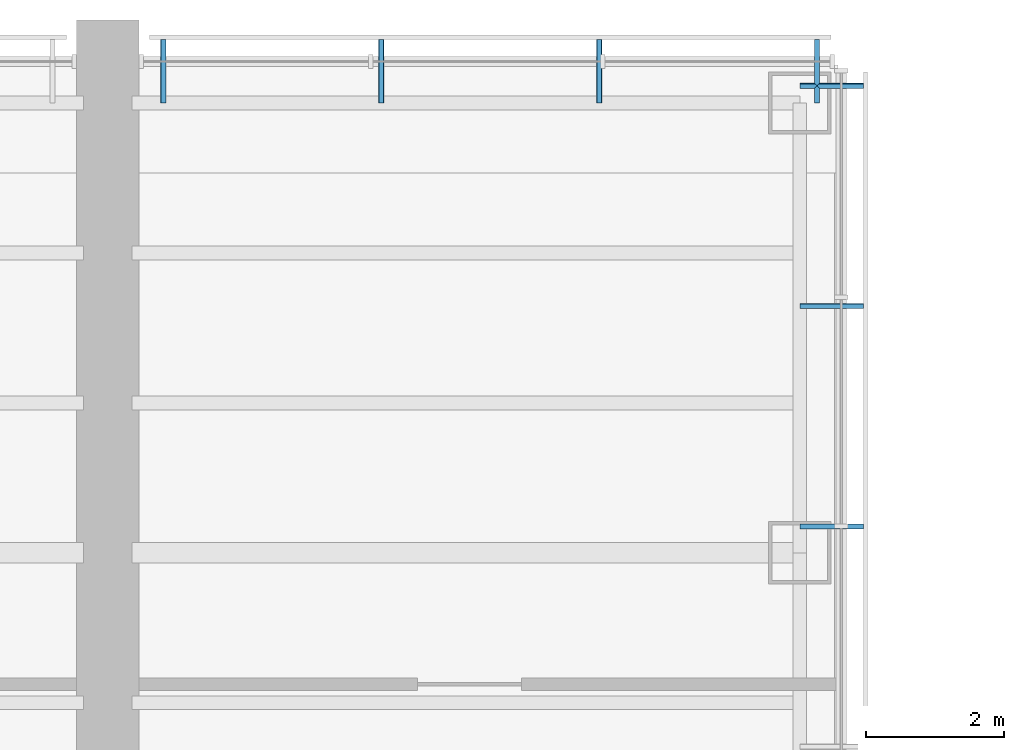
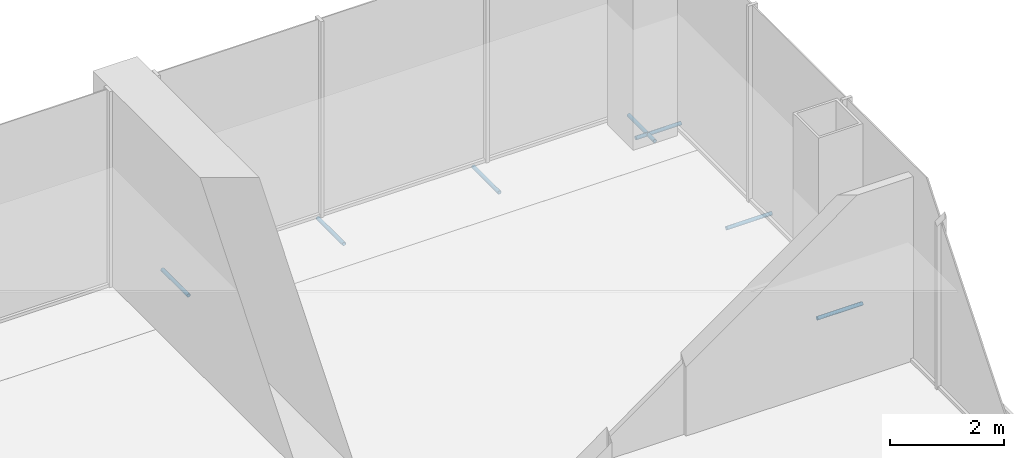
# One storey, part 15 of 17: 7 discrete accessories.
"""IFC4 building model written with IfcOpenShell, lengths in metres."""

from ifc_helpers import new_model, si_unit, direction, frame, origin, origin_2d, place, context, subcontext, project, spatial, hollow_circle, extrude, material, material_profile, profile_set, type_object, element, save


model = new_model("IFC4")

# Units and contexts
model_context = context("Model", 3, precision=1e-05, world=origin(), true_north=direction((0.0, 1.0)))
body_context = subcontext(model_context, "Body", "Model", "MODEL_VIEW")
ifc_project = project(units=[si_unit("LENGTHUNIT", "METRE"), si_unit("AREAUNIT", "SQUARE_METRE"), si_unit("VOLUMEUNIT", "CUBIC_METRE"), si_unit("PLANEANGLEUNIT", "RADIAN"), si_unit("MASSUNIT", "GRAM", prefix="KILO")], contexts=[model_context])

# Site, building, storey
site_placement = place(None, origin())
site = spatial("IfcSite", under=ifc_project, at=site_placement, CompositionType="ELEMENT")
building_placement = place(site_placement, origin())
building = spatial("IfcBuilding", under=site, at=building_placement, Name="Kasaneha Research Tower", CompositionType="ELEMENT")
storey_placement = place(building_placement, frame((0.0, 0.0, 47.800048828125)))
storey = spatial("IfcBuildingStorey", under=building, at=storey_placement, Name="L12", CompositionType="ELEMENT", Elevation=47.800048828125)

# Discrete accessories
ifc_material = material(Name="Steel STK400", Category="steel")
ifc_material_profile = material_profile(ifc_material, hollow_circle(Radius=0.0380859375, WallThickness=0.00390625, at=origin_2d()), Name="CHS-76.3x4.0")
ifc_profile_set = profile_set([ifc_material_profile], Name="Steel STK400")
discrete_accessory_type = type_object("IfcDiscreteAccessoryType", Name="Screen bracket CHS-76.3x4.0", PredefinedType="BRACKET", material=ifc_profile_set)
for number, where, z_axis, x_axis, name in (
    (1, (10.0, 24.200927734375, -0.320068359375), (1.0, 0.0, 0.0), (0.0, 1.0, 0.0), "Screen bracket 3"),
    (2, (10.0, 27.3857421875, -0.320068359375), (1.0, 0.0, 0.0), (0.0, 1.0, 0.0), "Screen bracket 4"),
    (3, (10.0, 30.570556640625, -0.320068359375), (1.0, 0.0, 0.0), (0.0, 1.0, 0.0), "Screen bracket 5"),
    (4, (10.25, 30.320556640625, -0.320068359375), (0.0, 1.0, 0.0), (-1.0, 0.0, 0.0), "Screen bracket 1"),
    (5, (7.10009765625, 30.320556640625, -0.320068359375), (0.0, 1.0, 0.0), (-1.0, 0.0, 0.0), "Screen bracket 2"),
    (6, (3.949951171875, 30.320556640625, -0.320068359375), (0.0, 1.0, 0.0), (-1.0, 0.0, 0.0), "Screen bracket 3"),
    (7, (0.800048828125, 30.320556640625, -0.320068359375), (0.0, 1.0, 0.0), (-1.0, 0.0, 0.0), "Screen bracket 4"),
):
    element("IfcDiscreteAccessory", number, at=place(storey_placement, frame(where, z_axis=z_axis, x_axis=x_axis)), inside=storey, type_object=discrete_accessory_type, Name=name, PredefinedType="BRACKET", context=body_context, shape_type="SweptSolid", body=[
        extrude(hollow_circle(Radius=0.0380859375, WallThickness=0.00390625, at=origin_2d()), origin(), (0.0, 0.0, 1.0), 0.919921875),
    ])

save(model, "model.ifc")
